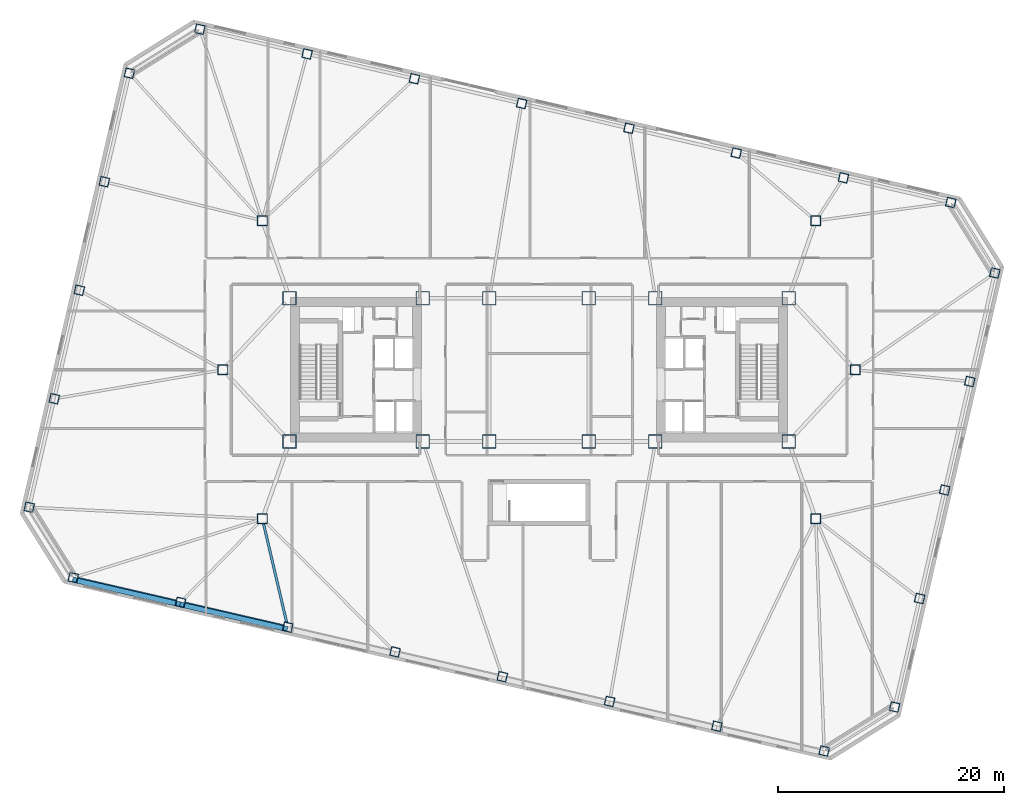
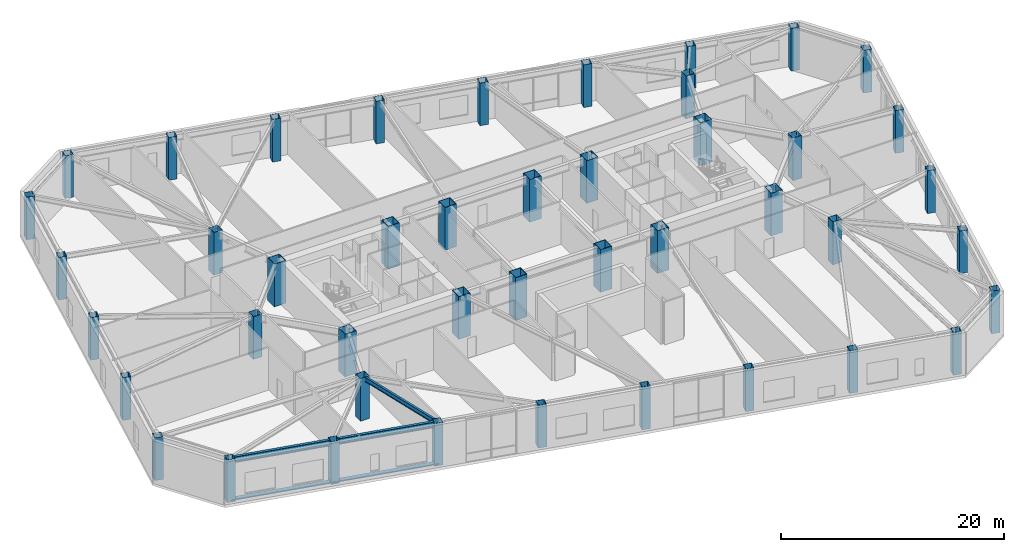
# One storey, part 1 of 19: 44 columns, 3 beams, 2 members.
"""IFC4 building model written with IfcOpenShell, lengths in metres."""

from ifc_helpers import new_model, si_unit, direction, frame, origin, origin_2d, place, context, subcontext, project, spatial, rectangle, hollow_rectangle, i_section, extrude, material, material_profile, profile_set, type_object, element, save


model = new_model("IFC4")

# Units and contexts
model_context = context("Model", 3, precision=1e-05, world=origin(), true_north=direction((0.0, 1.0)))
body_context = subcontext(model_context, "Body", "Model", "MODEL_VIEW")
ifc_project = project(units=[si_unit("LENGTHUNIT", "METRE"), si_unit("AREAUNIT", "SQUARE_METRE"), si_unit("VOLUMEUNIT", "CUBIC_METRE"), si_unit("PLANEANGLEUNIT", "RADIAN"), si_unit("MASSUNIT", "GRAM", prefix="KILO")], contexts=[model_context])

# Site, building, storey
site_placement = place(None, origin())
site = spatial("IfcSite", under=ifc_project, at=site_placement, CompositionType="ELEMENT")
building_placement = place(site_placement, origin())
building = spatial("IfcBuilding", under=site, at=building_placement, Name="Tavrogorsk Clinical Tower", CompositionType="ELEMENT")
storey_placement = place(building_placement, frame((0.0, 0.0, 28.39990234375)))
storey = spatial("IfcBuildingStorey", under=building, at=storey_placement, Name="L05", CompositionType="ELEMENT", Elevation=28.39990234375)

# Columns
ifc_material_1 = material(Name="Structural steel S440", Category="steel")
ifc_material_profile_1 = material_profile(ifc_material_1, hollow_rectangle(XDim=1.199951171875, YDim=1.199951171875, WallThickness=0.050048828125, at=origin_2d()), Name="BOX-1200x1200x50")
ifc_profile_set_1 = profile_set([ifc_material_profile_1], Name="Structural steel S440")
column_type_1 = type_object("IfcColumnType", Name="MegaCol_BOX1200", PredefinedType="COLUMN", material=ifc_profile_set_1)
for number, where, z_axis, x_axis, name in (
    (1, (-22.10009765625, -6.35009765625, 0.0), (0.0, 0.0, 1.0), (1.0, 0.0, 0.0), "L05 Mega Column MC-W1"),
    (2, (-22.10009765625, 6.35009765625, 0.0), (0.0, 0.0, 1.0), (1.0, 0.0, 0.0), "L05 Mega Column MC-W2"),
    (3, (-10.300048828125, -6.35009765625, 0.0), (0.0, 0.0, 1.0), (1.0, 0.0, 0.0), "L05 Mega Column MC-W3"),
    (4, (-10.300048828125, 6.35009765625, 0.0), (0.0, 0.0, 1.0), (1.0, 0.0, 0.0), "L05 Mega Column MC-W4"),
    (5, (10.300048828125, -6.35009765625, 0.0), (0.0, 0.0, 1.0), (1.0, 0.0, 0.0), "L05 Mega Column MC-E1"),
    (6, (10.300048828125, 6.35009765625, 0.0), (0.0, 0.0, 1.0), (1.0, 0.0, 0.0), "L05 Mega Column MC-E2"),
    (7, (22.10009765625, -6.35009765625, 0.0), (0.0, 0.0, 1.0), (1.0, 0.0, 0.0), "L05 Mega Column MC-E3"),
    (8, (22.10009765625, 6.35009765625, 0.0), (0.0, 0.0, 1.0), (1.0, 0.0, 0.0), "L05 Mega Column MC-E4"),
    (9, (-4.39990234375, -6.35009765625, 0.0), (0.0, 0.0, 1.0), (1.0, 0.0, 0.0), "L05 Mega Column MC-C1"),
    (10, (4.39990234375, -6.35009765625, 0.0), (0.0, 0.0, 1.0), (1.0, 0.0, 0.0), "L05 Mega Column MC-C2"),
    (11, (-4.39990234375, 6.35009765625, 0.0), (0.0, 0.0, 1.0), (1.0, 0.0, 0.0), "L05 Mega Column MC-C3"),
    (12, (4.39990234375, 6.35009765625, 0.0), (0.0, 0.0, 1.0), (1.0, 0.0, 0.0), "L05 Mega Column MC-C4"),
):
    element("IfcColumn", number, at=place(storey_placement, frame(where, z_axis=z_axis, x_axis=x_axis)), inside=storey, type_object=column_type_1, Name=name, PredefinedType="COLUMN", context=body_context, shape_type="SweptSolid", body=[
        extrude(hollow_rectangle(XDim=1.199951171875, YDim=1.199951171875, WallThickness=0.050048828125, at=origin_2d()), origin(), (0.0, 0.0, 1.0), 4.68017578125),
    ])
ifc_material_2 = material(Name="Structural steel S440", Category="steel")
ifc_material_profile_2 = material_profile(ifc_material_2, hollow_rectangle(XDim=0.89990234375, YDim=0.89990234375, WallThickness=0.0400390625, at=origin_2d()), Name="BOX-900x900x40")
ifc_profile_set_2 = profile_set([ifc_material_profile_2], Name="Structural steel S440")
column_type_2 = type_object("IfcColumnType", Name="MegaCol_BOX900", PredefinedType="COLUMN", material=ifc_profile_set_2)
for number, where, z_axis, x_axis, name in (
    (13, (-24.5, -13.199951171875, 0.0), (0.0, 0.0, 1.0), (1.0, 0.0, 0.0), "L05 Spine Pilotis Column MC-P1"),
    (14, (24.5, -13.199951171875, 0.0), (0.0, 0.0, 1.0), (1.0, 0.0, 0.0), "L05 Spine Pilotis Column MC-P2"),
    (15, (-24.5, 13.199951171875, 0.0), (0.0, 0.0, 1.0), (1.0, 0.0, 0.0), "L05 Spine Pilotis Column MC-P3"),
    (16, (24.5, 13.199951171875, 0.0), (0.0, 0.0, 1.0), (1.0, 0.0, 0.0), "L05 Spine Pilotis Column MC-P4"),
    (17, (-28.0, 0.0, 0.0), (0.0, 0.0, 1.0), (1.0, 0.0, 0.0), "L05 Spine Pilotis Column MC-P5"),
    (18, (28.0, 0.0, 0.0), (0.0, 0.0, 1.0), (1.0, 0.0, 0.0), "L05 Spine Pilotis Column MC-P6"),
):
    element("IfcColumn", number, at=place(storey_placement, frame(where, z_axis=z_axis, x_axis=x_axis)), inside=storey, type_object=column_type_2, Name=name, PredefinedType="COLUMN", context=body_context, shape_type="SweptSolid", body=[
        extrude(hollow_rectangle(XDim=0.89990234375, YDim=0.89990234375, WallThickness=0.0400390625, at=origin_2d()), origin(), (0.0, 0.0, 1.0), 4.68017578125),
    ])
ifc_material_3 = material(Name="Structural steel S440", Category="steel")
ifc_material_profile_3 = material_profile(ifc_material_3, hollow_rectangle(XDim=0.800048828125, YDim=0.800048828125, WallThickness=0.035888671875, at=origin_2d()), Name="BOX-800x800x36")
ifc_profile_set_3 = profile_set([ifc_material_profile_3], Name="Structural steel S440")
column_type_3 = type_object("IfcColumnType", Name="PerimCol_B1_BOX800", PredefinedType="COLUMN", material=ifc_profile_set_3)
for number, where, z_axis, x_axis, name in (
    (19, (-41.251220703125, -18.406005859375, 0.0), (0.0, 0.0, 1.0), (0.974370064785, -0.224951054344, 0.0), "L05 Perimeter Column S1"),
    (20, (-31.75244140625, -20.598876953125, 0.0), (0.0, 0.0, 1.0), (0.974370064785, -0.224951054344, 0.0), "L05 Perimeter Column S2"),
    (21, (-22.25390625, -22.7919921875, 0.0), (0.0, 0.0, 1.0), (0.974370064785, -0.224951054344, 0.0), "L05 Perimeter Column S3"),
    (22, (-12.755126953125, -24.98486328125, 0.0), (0.0, 0.0, 1.0), (0.974370064785, -0.224951054344, 0.0), "L05 Perimeter Column S4"),
    (23, (-3.25634765625, -27.177734375, 0.0), (0.0, 0.0, 1.0), (0.974370064785, -0.224951054344, 0.0), "L05 Perimeter Column S5"),
    (24, (6.2421875, -29.37060546875, 0.0), (0.0, 0.0, 1.0), (0.974370064785, -0.224951054344, 0.0), "L05 Perimeter Column S6"),
    (25, (15.740966796875, -31.563720703125, 0.0), (0.0, 0.0, 1.0), (0.974370064785, -0.224951054344, 0.0), "L05 Perimeter Column S7"),
    (26, (25.23974609375, -33.756591796875, 0.0), (0.0, 0.0, 1.0), (0.974370064785, -0.224951054344, 0.0), "L05 Perimeter Column S8"),
    (27, (36.451416015625, 14.805908203125, 0.0), (0.0, 0.0, 1.0), (0.974370064785, -0.224951054344, 0.0), "L05 Perimeter Column N1"),
    (28, (26.952392578125, 16.998779296875, 0.0), (0.0, 0.0, 1.0), (0.974370064785, -0.224951054344, 0.0), "L05 Perimeter Column N2"),
    (29, (17.453857421875, 19.19189453125, 0.0), (0.0, 0.0, 1.0), (0.974370064785, -0.224951054344, 0.0), "L05 Perimeter Column N3"),
    (30, (7.955078125, 21.384765625, 0.0), (0.0, 0.0, 1.0), (0.974370064785, -0.224951054344, 0.0), "L05 Perimeter Column N4"),
    (31, (-1.543701171875, 23.577880859375, 0.0), (0.0, 0.0, 1.0), (0.974370064785, -0.224951054344, 0.0), "L05 Perimeter Column N5"),
    (32, (-11.042236328125, 25.770751953125, 0.0), (0.0, 0.0, 1.0), (0.974370064785, -0.224951054344, 0.0), "L05 Perimeter Column N6"),
    (33, (-20.541015625, 27.963623046875, 0.0), (0.0, 0.0, 1.0), (0.974370064785, -0.224951054344, 0.0), "L05 Perimeter Column N7"),
    (34, (-30.039794921875, 30.156494140625, 0.0), (0.0, 0.0, 1.0), (0.974370064785, -0.224951054344, 0.0), "L05 Perimeter Column N8"),
    (35, (31.476318359375, -29.859619140625, 0.0), (0.0, 0.0, 1.0), (0.974370064785, -0.224951054344, 0.0), "L05 Perimeter Column E1"),
    (36, (33.694091796875, -20.25244140625, 0.0), (0.0, 0.0, 1.0), (0.974370064785, -0.224951054344, 0.0), "L05 Perimeter Column E2"),
    (37, (35.912109375, -10.64501953125, 0.0), (0.0, 0.0, 1.0), (0.974370064785, -0.224951054344, 0.0), "L05 Perimeter Column E3"),
    (38, (38.130126953125, -1.037841796875, 0.0), (0.0, 0.0, 1.0), (0.974370064785, -0.224951054344, 0.0), "L05 Perimeter Column E4"),
    (39, (40.348388671875, 8.569580078125, 0.0), (0.0, 0.0, 1.0), (0.974370064785, -0.224951054344, 0.0), "L05 Perimeter Column E5"),
    (40, (-36.276123046875, 26.259765625, 0.0), (0.0, 0.0, 1.0), (0.974370064785, -0.224951054344, 0.0), "L05 Perimeter Column W1"),
    (41, (-38.494140625, 16.65234375, 0.0), (0.0, 0.0, 1.0), (0.974370064785, -0.224951054344, 0.0), "L05 Perimeter Column W2"),
    (42, (-40.712158203125, 7.045166015625, 0.0), (0.0, 0.0, 1.0), (0.974370064785, -0.224951054344, 0.0), "L05 Perimeter Column W3"),
    (43, (-42.93017578125, -2.562255859375, 0.0), (0.0, 0.0, 1.0), (0.974370064785, -0.224951054344, 0.0), "L05 Perimeter Column W4"),
    (44, (-45.148193359375, -12.16943359375, 0.0), (0.0, 0.0, 1.0), (0.974370064785, -0.224951054344, 0.0), "L05 Perimeter Column W5"),
):
    element("IfcColumn", number, at=place(storey_placement, frame(where, z_axis=z_axis, x_axis=x_axis)), inside=storey, type_object=column_type_3, Name=name, PredefinedType="COLUMN", context=body_context, shape_type="SweptSolid", body=[
        extrude(hollow_rectangle(XDim=0.800048828125, YDim=0.800048828125, WallThickness=0.035888671875, at=origin_2d()), origin(), (0.0, 0.0, 1.0), 4.68017578125),
    ])

# Members
ifc_material_4 = material(Name="Anodised aluminium alloy AW-6063", Category="aluminium")
ifc_material_profile_4 = material_profile(ifc_material_4, rectangle(XDim=0.449951171875, YDim=0.1201171875, at=origin_2d()), Name="ALU-SUNSHADE-450x120")
ifc_profile_set_4 = profile_set([ifc_material_profile_4], Name="Anodised aluminium alloy AW-6063")
member_type = type_object("IfcMemberType", Name="ChicagoSunshade_450x120", PredefinedType="USERDEFINED", material=ifc_profile_set_4)
member_1_placement = place(storey_placement, frame((-41.291748046875, -18.581298828125, 0.18017578125), z_axis=(0.974366709214, -0.224965588425, 0.0), x_axis=(0.224965588425, 0.974366709214, 0.0)))
element("IfcMember", 45, at=member_1_placement, inside=storey, type_object=member_type, Name="L05 South Aluminium Sunshade S1", ObjectType="SUNSHADE", PredefinedType="USERDEFINED", context=body_context, shape_type="SweptSolid", body=[
    extrude(rectangle(XDim=0.449951171875, YDim=0.1201171875, at=origin_2d()), origin(), (0.0, 0.0, 1.0), 9.748779296875),
])
member_2_placement = place(storey_placement, frame((-31.79296875, -20.7744140625, 0.18017578125), z_axis=(0.974370931236, -0.2249473013, 0.0), x_axis=(0.2249473013, 0.974370931236, 0.0)))
element("IfcMember", 46, at=member_2_placement, inside=storey, type_object=member_type, Name="L05 South Aluminium Sunshade S2", ObjectType="SUNSHADE", PredefinedType="USERDEFINED", context=body_context, shape_type="SweptSolid", body=[
    extrude(rectangle(XDim=0.449951171875, YDim=0.1201171875, at=origin_2d()), origin(), (0.0, 0.0, 1.0), 9.748291015625),
])

# Beams
ifc_material_5 = material(Name="Structural steel S355", Category="steel")
ifc_material_profile_5 = material_profile(ifc_material_5, i_section(OverallWidth=0.219970703125, OverallDepth=0.5, WebThickness=0.012939453125, FlangeThickness=0.02001953125, at=origin_2d()), Name="B-500x220x13x20")
ifc_profile_set_5 = profile_set([ifc_material_profile_5], Name="Structural steel S355")
beam_type_1 = type_object("IfcBeamType", Name="FloorBeam_B500", PredefinedType="BEAM", material=ifc_profile_set_5)
beam_placement = place(storey_placement, frame((-24.406494140625, -13.59912109375, 4.43017578125), z_axis=(0.227996771429, -0.973661888038, 0.0), x_axis=(0.973661888038, 0.227996771429, 0.0)))
element("IfcBeam", 47, at=beam_placement, inside=storey, type_object=beam_type_1, Name="L05 Radial Floor Beam S3", PredefinedType="BEAM", context=body_context, shape_type="SweptSolid", body=[
    extrude(i_section(OverallWidth=0.219970703125, OverallDepth=0.5, WebThickness=0.012939453125, FlangeThickness=0.02001953125, at=origin_2d()), origin(), (0.0, 0.0, 1.0), 9.033447265625),
])
ifc_material_6 = material(Name="Structural steel S390", Category="steel")
ifc_material_profile_6 = material_profile(ifc_material_6, i_section(OverallWidth=0.280029296875, OverallDepth=0.64990234375, WebThickness=0.01611328125, FlangeThickness=0.02490234375, at=origin_2d()), Name="B-650x280x16x25")
ifc_profile_set_6 = profile_set([ifc_material_profile_6], Name="Structural steel S390")
beam_type_2 = type_object("IfcBeamType", Name="SpandrelBeam_B650", PredefinedType="SPANDREL", material=ifc_profile_set_6)
for number, where, z_axis, x_axis, name in (
    (48, (-40.853759765625, -18.497802734375, 4.35498046875), (0.974372766602, -0.224939351168, 0.0), (0.224939351168, 0.974372766602, 0.0), "L05 Perimeter Spandrel S1-S2"),
    (49, (-31.35498046875, -20.690673828125, 4.35498046875), (0.974366775889, -0.224965299645, 0.0), (0.224965299645, 0.974366775889, 0.0), "L05 Perimeter Spandrel S2-S3"),
):
    element("IfcBeam", number, at=place(storey_placement, frame(where, z_axis=z_axis, x_axis=x_axis)), inside=storey, type_object=beam_type_2, Name=name, PredefinedType="SPANDREL", context=body_context, shape_type="SweptSolid", body=[
        extrude(i_section(OverallWidth=0.280029296875, OverallDepth=0.64990234375, WebThickness=0.01611328125, FlangeThickness=0.02490234375, at=origin_2d()), origin(), (0.0, 0.0, 1.0), 8.9326171875),
    ])

save(model, "model.ifc")
